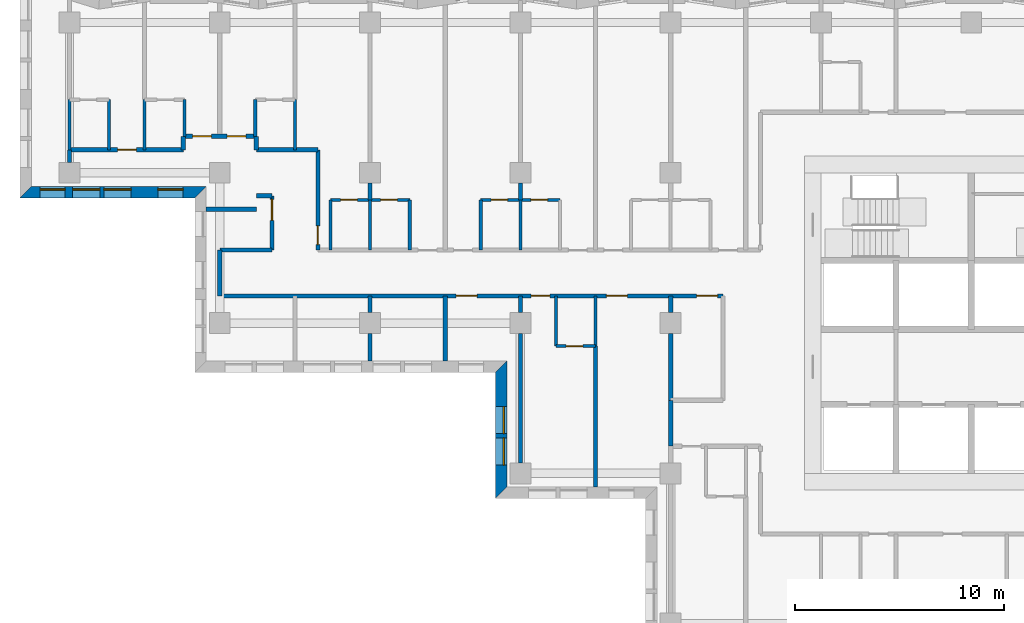
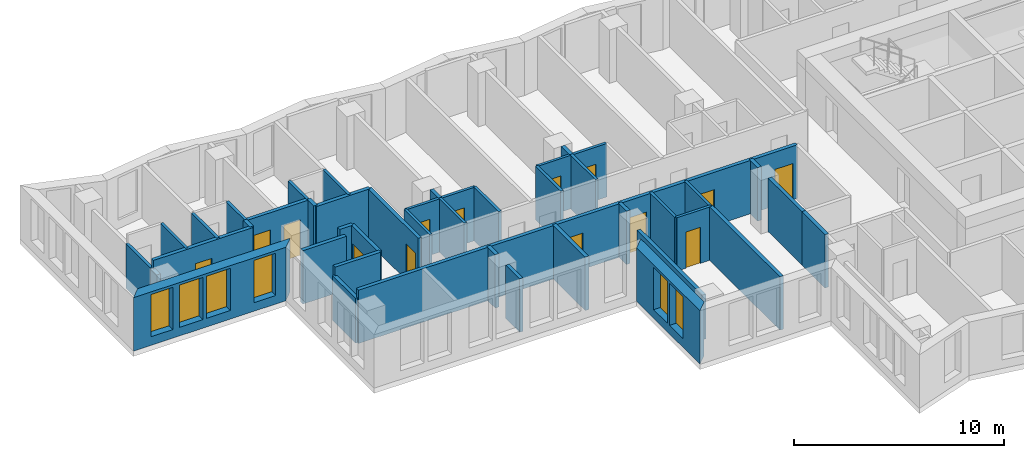
# One storey, part 4 of 13: 42 walls, 14 doors, 6 windows, 20 openings.
"""IFC4 building model written with IfcOpenShell, lengths in metres."""

from ifc_helpers import new_model, si_unit, direction, frame, frame_2d, origin, place, context, subcontext, project, spatial, polyline, rectangle, outline, extrude, material, layer, layer_set, type_object, element, fill, save


model = new_model("IFC4")

# Units and contexts
model_context = context("Model", 3, precision=1e-05, world=origin(), true_north=direction((0.0, 1.0)))
body_context = subcontext(model_context, "Body", "Model", "MODEL_VIEW")
ifc_project = project(units=[si_unit("LENGTHUNIT", "METRE"), si_unit("AREAUNIT", "SQUARE_METRE"), si_unit("VOLUMEUNIT", "CUBIC_METRE"), si_unit("PLANEANGLEUNIT", "RADIAN"), si_unit("MASSUNIT", "GRAM", prefix="KILO")], contexts=[model_context])

# Site, building, storey
site_placement = place(None, origin())
site = spatial("IfcSite", under=ifc_project, at=site_placement, CompositionType="ELEMENT")
building_placement = place(site_placement, origin())
building = spatial("IfcBuilding", under=site, at=building_placement, Name="Windrow Commons", CompositionType="ELEMENT")
storey_placement = place(building_placement, frame((0.0, 0.0, 111.8)))
storey = spatial("IfcBuildingStorey", under=building, at=storey_placement, Name="L30", CompositionType="ELEMENT", Elevation=111.8)

# Wall, openings, windows
ifc_material_1 = material(Name="Brick masonry, red clay brick", Category="masonry")
ifc_layer_1 = layer(ifc_material_1, 0.55)
ifc_layer_set_1 = layer_set([ifc_layer_1], Name="Brick facade wall 550")
wall_type_1 = type_object("IfcWallType", Name="Brick facade wall 550", PredefinedType="SOLIDWALL", material=ifc_layer_set_1)
wall_1_placement = place(storey_placement, frame((19.503, 63.875, 0.0), z_axis=(0.0, 0.0, 1.0), x_axis=(1.0, 0.0, 0.0)))
wall_1 = element("IfcWall", 1, at=wall_1_placement, inside=storey, type_object=wall_type_1, Name="Brick facade wall L30 38", PredefinedType="SOLIDWALL", context=body_context, shape_type="SweptSolid", body=[
    extrude(outline(polyline([(-0.275, -0.275), (8.097, -0.275), (8.647, 0.275), (0.275, 0.275), (-0.275, -0.275)])), origin(), (0.0, 0.0, 1.0), 3.1),
])
opening_1_placement = place(wall_1_placement, frame((2.247, 0.0, 0.5)))
opening_1 = element("IfcOpeningElement", 2, at=opening_1_placement, cuts=wall_1, Name="Opening W1P", PredefinedType="OPENING", context=body_context, shape_type="SweptSolid", body=[
    extrude(rectangle(XDim=1.3, YDim=2.45, at=frame_2d((0.65, 1.225))), frame((0.0, 0.285, 0.0), z_axis=(0.0, -1.0, 0.0), x_axis=(1.0, 0.0, 0.0)), (0.0, 0.0, 1.0), 0.57),
])
opening_2_placement = place(wall_1_placement, frame((3.747, 0.0, 0.5)))
opening_2 = element("IfcOpeningElement", 3, at=opening_2_placement, cuts=wall_1, Name="Opening W1P", PredefinedType="OPENING", context=body_context, shape_type="SweptSolid", body=[
    extrude(rectangle(XDim=1.3, YDim=2.45, at=frame_2d((0.65, 1.225))), frame((0.0, 0.285, 0.0), z_axis=(0.0, -1.0, 0.0), x_axis=(1.0, 0.0, 0.0)), (0.0, 0.0, 1.0), 0.57),
])
opening_3_placement = place(wall_1_placement, frame((0.686, 0.0, 0.5)))
opening_3 = element("IfcOpeningElement", 4, at=opening_3_placement, cuts=wall_1, Name="Opening W7D", PredefinedType="OPENING", context=body_context, shape_type="SweptSolid", body=[
    extrude(rectangle(XDim=1.2, YDim=2.45, at=frame_2d((0.6, 1.225))), frame((0.0, 0.285, 0.0), z_axis=(0.0, -1.0, 0.0), x_axis=(1.0, 0.0, 0.0)), (0.0, 0.0, 1.0), 0.57),
])
opening_4_placement = place(wall_1_placement, frame((6.3345, 0.0, 0.5)))
opening_4 = element("IfcOpeningElement", 5, at=opening_4_placement, cuts=wall_1, Name="Opening W7D", PredefinedType="OPENING", context=body_context, shape_type="SweptSolid", body=[
    extrude(rectangle(XDim=1.2, YDim=2.45, at=frame_2d((0.6, 1.225))), frame((0.0, 0.285, 0.0), z_axis=(0.0, -1.0, 0.0), x_axis=(1.0, 0.0, 0.0)), (0.0, 0.0, 1.0), 0.57),
])
ifc_material_2 = material(Name="Clear float glass in anodised aluminium frame", Category="aluminium")
window_type_1 = type_object("IfcWindowType", Name="Window W1P pair 1300x2450", PartitioningType="SINGLE_PANEL", PredefinedType="WINDOW", material=ifc_material_2)
window_1_placement = place(opening_1_placement, origin())
window_1 = element("IfcWindow", 6, at=window_1_placement, inside=storey, type_object=window_type_1, Name="Window L30 38.1A", OverallHeight=2.45, OverallWidth=1.3, PartitioningType="SINGLE_PANEL", PredefinedType="WINDOW", context=body_context, shape_type="SweptSolid", body=[
    extrude(rectangle(XDim=1.3, YDim=2.45, at=frame_2d((0.65, 1.225))), frame((0.0, 0.155, 0.0), z_axis=(0.0, -1.0, 0.0), x_axis=(1.0, 0.0, 0.0)), (0.0, 0.0, 1.0), 0.06),
])
fill(opening_1, window_1)
window_2_placement = place(opening_2_placement, origin())
window_2 = element("IfcWindow", 7, at=window_2_placement, inside=storey, type_object=window_type_1, Name="Window L30 38.1B", OverallHeight=2.45, OverallWidth=1.3, PartitioningType="SINGLE_PANEL", PredefinedType="WINDOW", context=body_context, shape_type="SweptSolid", body=[
    extrude(rectangle(XDim=1.3, YDim=2.45, at=frame_2d((0.65, 1.225))), frame((0.0, 0.155, 0.0), z_axis=(0.0, -1.0, 0.0), x_axis=(1.0, 0.0, 0.0)), (0.0, 0.0, 1.0), 0.06),
])
fill(opening_2, window_2)
ifc_material_3 = material(Name="Clear float glass in anodised aluminium frame", Category="aluminium")
window_type_2 = type_object("IfcWindowType", Name="Window W7 notch 1200x2450", PartitioningType="SINGLE_PANEL", PredefinedType="WINDOW", material=ifc_material_3)
window_3_placement = place(opening_3_placement, origin())
window_3 = element("IfcWindow", 8, at=window_3_placement, inside=storey, type_object=window_type_2, Name="Window L30 38.2", OverallHeight=2.45, OverallWidth=1.2, PartitioningType="SINGLE_PANEL", PredefinedType="WINDOW", context=body_context, shape_type="SweptSolid", body=[
    extrude(rectangle(XDim=1.2, YDim=2.45, at=frame_2d((0.6, 1.225))), frame((0.0, 0.155, 0.0), z_axis=(0.0, -1.0, 0.0), x_axis=(1.0, 0.0, 0.0)), (0.0, 0.0, 1.0), 0.06),
])
fill(opening_3, window_3)
window_4_placement = place(opening_4_placement, origin())
window_4 = element("IfcWindow", 9, at=window_4_placement, inside=storey, type_object=window_type_2, Name="Window L30 38.3", OverallHeight=2.45, OverallWidth=1.2, PartitioningType="SINGLE_PANEL", PredefinedType="WINDOW", context=body_context, shape_type="SweptSolid", body=[
    extrude(rectangle(XDim=1.2, YDim=2.45, at=frame_2d((0.6, 1.225))), frame((0.0, 0.155, 0.0), z_axis=(0.0, -1.0, 0.0), x_axis=(1.0, 0.0, 0.0)), (0.0, 0.0, 1.0), 0.06),
])
fill(opening_4, window_4)

wall_2_placement = place(storey_placement, frame((42.275, 55.503, 0.0), z_axis=(0.0, 0.0, 1.0), x_axis=(0.0, -1.0, 0.0)))
wall_2 = element("IfcWall", 10, at=wall_2_placement, inside=storey, type_object=wall_type_1, Name="Brick facade wall L30 41", PredefinedType="SOLIDWALL", context=body_context, shape_type="SweptSolid", body=[
    extrude(outline(polyline([(0.275, -0.275), (6.303, -0.275), (5.753, 0.275), (-0.275, 0.275), (0.275, -0.275)])), origin(), (0.0, 0.0, 1.0), 3.1),
])
opening_5_placement = place(wall_2_placement, frame((1.903, 0.0, 0.5)))
opening_5 = element("IfcOpeningElement", 11, at=opening_5_placement, cuts=wall_2, Name="Opening W1P", PredefinedType="OPENING", context=body_context, shape_type="SweptSolid", body=[
    extrude(rectangle(XDim=1.3, YDim=2.45, at=frame_2d((0.65, 1.225))), frame((0.0, 0.285, 0.0), z_axis=(0.0, -1.0, 0.0), x_axis=(1.0, 0.0, 0.0)), (0.0, 0.0, 1.0), 0.57),
])
opening_6_placement = place(wall_2_placement, frame((3.403, 0.0, 0.5)))
opening_6 = element("IfcOpeningElement", 12, at=opening_6_placement, cuts=wall_2, Name="Opening W1P", PredefinedType="OPENING", context=body_context, shape_type="SweptSolid", body=[
    extrude(rectangle(XDim=1.3, YDim=2.45, at=frame_2d((0.65, 1.225))), frame((0.0, 0.285, 0.0), z_axis=(0.0, -1.0, 0.0), x_axis=(1.0, 0.0, 0.0)), (0.0, 0.0, 1.0), 0.57),
])
window_5_placement = place(opening_5_placement, origin())
window_5 = element("IfcWindow", 13, at=window_5_placement, inside=storey, type_object=window_type_1, Name="Window L30 41.1A", OverallHeight=2.45, OverallWidth=1.3, PartitioningType="SINGLE_PANEL", PredefinedType="WINDOW", context=body_context, shape_type="SweptSolid", body=[
    extrude(rectangle(XDim=1.3, YDim=2.45, at=frame_2d((0.65, 1.225))), frame((0.0, 0.155, 0.0), z_axis=(0.0, -1.0, 0.0), x_axis=(1.0, 0.0, 0.0)), (0.0, 0.0, 1.0), 0.06),
])
fill(opening_5, window_5)
window_6_placement = place(opening_6_placement, origin())
window_6 = element("IfcWindow", 14, at=window_6_placement, inside=storey, type_object=window_type_1, Name="Window L30 41.1B", OverallHeight=2.45, OverallWidth=1.3, PartitioningType="SINGLE_PANEL", PredefinedType="WINDOW", context=body_context, shape_type="SweptSolid", body=[
    extrude(rectangle(XDim=1.3, YDim=2.45, at=frame_2d((0.65, 1.225))), frame((0.0, 0.155, 0.0), z_axis=(0.0, -1.0, 0.0), x_axis=(1.0, 0.0, 0.0)), (0.0, 0.0, 1.0), 0.06),
])
fill(opening_6, window_6)

# Wall, openings, doors
ifc_material_4 = material(Name="Blockwork partition", Category="masonry")
ifc_layer_2 = layer(ifc_material_4, 0.2)
ifc_layer_set_2 = layer_set([ifc_layer_2], Name="IW-CORRIDOR-200")
wall_type_2 = type_object("IfcWallType", Name="IW-CORRIDOR-200", PredefinedType="PARTITIONING", material=ifc_layer_set_2)
wall_3_placement = place(storey_placement, frame((28.802, 58.9, 0.0), z_axis=(0.0, 0.0, 1.0), x_axis=(1.0, 0.0, 0.0)))
wall_3 = element("IfcWall", 15, at=wall_3_placement, inside=storey, type_object=wall_type_2, Name="W-L30-W000", PredefinedType="PARTITIONING", context=body_context, shape_type="SweptSolid", body=[
    extrude(rectangle(XDim=24.098, YDim=0.2, at=frame_2d((12.049, 0.0))), origin(), (0.0, 0.0, 1.0), 3.1),
])
opening_7_placement = place(wall_3_placement, frame((11.323, 0.0, 0.0)))
opening_7 = element("IfcOpeningElement", 16, at=opening_7_placement, cuts=wall_3, Name="Opening D310F", PredefinedType="OPENING", context=body_context, shape_type="SweptSolid", body=[
    extrude(rectangle(XDim=1.0, YDim=2.1, at=frame_2d((0.5, 1.05))), frame((0.0, 0.11, 0.0), z_axis=(0.0, -1.0, 0.0), x_axis=(1.0, 0.0, 0.0)), (0.0, 0.0, 1.0), 0.22),
])
opening_8_placement = place(wall_3_placement, frame((14.908, 0.0, 0.0)))
opening_8 = element("IfcOpeningElement", 17, at=opening_8_placement, cuts=wall_3, Name="Opening D109S", PredefinedType="OPENING", context=body_context, shape_type="SweptSolid", body=[
    extrude(rectangle(XDim=0.9, YDim=2.1, at=frame_2d((0.45, 1.05))), frame((0.0, 0.11, 0.0), z_axis=(0.0, -1.0, 0.0), x_axis=(1.0, 0.0, 0.0)), (0.0, 0.0, 1.0), 0.22),
])
opening_9_placement = place(wall_3_placement, frame((18.523, 0.0, 0.0)))
opening_9 = element("IfcOpeningElement", 18, at=opening_9_placement, cuts=wall_3, Name="Opening D310F", PredefinedType="OPENING", context=body_context, shape_type="SweptSolid", body=[
    extrude(rectangle(XDim=1.0, YDim=2.1, at=frame_2d((0.5, 1.05))), frame((0.0, 0.11, 0.0), z_axis=(0.0, -1.0, 0.0), x_axis=(1.0, 0.0, 0.0)), (0.0, 0.0, 1.0), 0.22),
])
opening_10_placement = place(wall_3_placement, frame((22.8451, 0.0, 0.0)))
opening_10 = element("IfcOpeningElement", 19, at=opening_10_placement, cuts=wall_3, Name="Opening D410F", PredefinedType="OPENING", context=body_context, shape_type="SweptSolid", body=[
    extrude(rectangle(XDim=1.0, YDim=2.1, at=frame_2d((0.5, 1.05))), frame((0.0, 0.11, 0.0), z_axis=(0.0, -1.0, 0.0), x_axis=(1.0, 0.0, 0.0)), (0.0, 0.0, 1.0), 0.22),
])
ifc_material_5 = material(Name="Timber door leaf", Category="wood")
door_type_1 = type_object("IfcDoorType", Name="DT-AMENITY-1000", OperationType="SINGLE_SWING_LEFT", PredefinedType="DOOR", material=ifc_material_5)
door_1_placement = place(opening_7_placement, origin())
door_1 = element("IfcDoor", 20, at=door_1_placement, inside=storey, type_object=door_type_1, Name="D-L30-D003", OperationType="SINGLE_SWING_RIGHT", OverallHeight=2.1, OverallWidth=1.0, PredefinedType="DOOR", context=body_context, shape_type="SweptSolid", body=[
    extrude(rectangle(XDim=1.0, YDim=2.1, at=frame_2d((0.5, 1.05))), frame((0.0, 0.025, 0.0), z_axis=(0.0, -1.0, 0.0), x_axis=(1.0, 0.0, 0.0)), (0.0, 0.0, 1.0), 0.05),
])
fill(opening_7, door_1)
door_2_placement = place(opening_9_placement, origin())
door_2 = element("IfcDoor", 21, at=door_2_placement, inside=storey, type_object=door_type_1, Name="D-L30-D006", OperationType="SINGLE_SWING_RIGHT", OverallHeight=2.1, OverallWidth=1.0, PredefinedType="DOOR", context=body_context, shape_type="SweptSolid", body=[
    extrude(rectangle(XDim=1.0, YDim=2.1, at=frame_2d((0.5, 1.05))), frame((0.0, 0.025, 0.0), z_axis=(0.0, -1.0, 0.0), x_axis=(1.0, 0.0, 0.0)), (0.0, 0.0, 1.0), 0.05),
])
fill(opening_9, door_2)
ifc_material_6 = material(Name="Timber door leaf", Category="wood")
door_type_2 = type_object("IfcDoorType", Name="DT-BEDROOM-900", OperationType="SINGLE_SWING_LEFT", PredefinedType="DOOR", material=ifc_material_6)
door_3_placement = place(opening_8_placement, origin())
door_3 = element("IfcDoor", 22, at=door_3_placement, inside=storey, type_object=door_type_2, Name="D-L30-D004", OperationType="SINGLE_SWING_LEFT", OverallHeight=2.1, OverallWidth=0.9, PredefinedType="DOOR", context=body_context, shape_type="SweptSolid", body=[
    extrude(rectangle(XDim=0.9, YDim=2.1, at=frame_2d((0.45, 1.05))), frame((0.0, 0.025, 0.0), z_axis=(0.0, -1.0, 0.0), x_axis=(1.0, 0.0, 0.0)), (0.0, 0.0, 1.0), 0.05),
])
fill(opening_8, door_3)
ifc_material_7 = material(Name="Timber door leaf", Category="wood")
door_type_3 = type_object("IfcDoorType", Name="DT-SERVICE-1000", OperationType="SINGLE_SWING_LEFT", PredefinedType="DOOR", material=ifc_material_7)
door_4_placement = place(opening_10_placement, origin())
door_4 = element("IfcDoor", 23, at=door_4_placement, inside=storey, type_object=door_type_3, Name="D-L30-D010", OperationType="SINGLE_SWING_LEFT", OverallHeight=2.1, OverallWidth=1.0, PredefinedType="DOOR", context=body_context, shape_type="SweptSolid", body=[
    extrude(rectangle(XDim=1.0, YDim=2.1, at=frame_2d((0.5, 1.05))), frame((0.0, 0.025, 0.0), z_axis=(0.0, -1.0, 0.0), x_axis=(1.0, 0.0, 0.0)), (0.0, 0.0, 1.0), 0.05),
])
fill(opening_10, door_4)

# Wall, opening, door
wall_4_placement = place(storey_placement, frame((21.6, 65.9, 0.0), z_axis=(0.0, 0.0, 1.0), x_axis=(1.0, 0.0, 0.0)))
wall_4 = element("IfcWall", 24, at=wall_4_placement, inside=storey, type_object=wall_type_2, Name="W-L30-W037", PredefinedType="PARTITIONING", context=body_context, shape_type="SweptSolid", body=[
    extrude(rectangle(XDim=5.45, YDim=0.2, at=frame_2d((2.725, 0.0))), origin(), (0.0, 0.0, 1.0), 3.1),
])
opening_11_placement = place(wall_4_placement, frame((2.3, 0.0, 0.0)))
opening_11 = element("IfcOpeningElement", 25, at=opening_11_placement, cuts=wall_4, Name="Opening D109S", PredefinedType="OPENING", context=body_context, shape_type="SweptSolid", body=[
    extrude(rectangle(XDim=0.9, YDim=2.1, at=frame_2d((0.45, 1.05))), frame((0.0, 0.11, 0.0), z_axis=(0.0, -1.0, 0.0), x_axis=(1.0, 0.0, 0.0)), (0.0, 0.0, 1.0), 0.22),
])
door_5_placement = place(opening_11_placement, origin())
door_5 = element("IfcDoor", 26, at=door_5_placement, inside=storey, type_object=door_type_2, Name="D-L30-D019", OperationType="SINGLE_SWING_RIGHT", OverallHeight=2.1, OverallWidth=0.9, PredefinedType="DOOR", context=body_context, shape_type="SweptSolid", body=[
    extrude(rectangle(XDim=0.9, YDim=2.1, at=frame_2d((0.45, 1.05))), frame((0.0, 0.025, 0.0), z_axis=(0.0, -1.0, 0.0), x_axis=(1.0, 0.0, 0.0)), (0.0, 0.0, 1.0), 0.05),
])
fill(opening_11, door_5)

wall_5_placement = place(storey_placement, frame((33.5, 61.102, 0.0), z_axis=(0.0, 0.0, 1.0), x_axis=(0.0, 1.0, 0.0)))
wall_5 = element("IfcWall", 27, at=wall_5_placement, inside=storey, type_object=wall_type_2, Name="W-L30-W045", PredefinedType="PARTITIONING", context=body_context, shape_type="SweptSolid", body=[
    extrude(rectangle(XDim=4.798, YDim=0.2, at=frame_2d((2.399, 0.0))), origin(), (0.0, 0.0, 1.0), 3.1),
])
opening_12_placement = place(wall_5_placement, frame((0.253, 0.0, 0.0)))
opening_12 = element("IfcOpeningElement", 28, at=opening_12_placement, cuts=wall_5, Name="Opening D109S", PredefinedType="OPENING", context=body_context, shape_type="SweptSolid", body=[
    extrude(rectangle(XDim=0.9, YDim=2.1, at=frame_2d((0.45, 1.05))), frame((0.0, 0.11, 0.0), z_axis=(0.0, -1.0, 0.0), x_axis=(1.0, 0.0, 0.0)), (0.0, 0.0, 1.0), 0.22),
])
door_6_placement = place(opening_12_placement, origin())
door_6 = element("IfcDoor", 29, at=door_6_placement, inside=storey, type_object=door_type_2, Name="D-L30-D025", OperationType="SINGLE_SWING_LEFT", OverallHeight=2.1, OverallWidth=0.9, PredefinedType="DOOR", context=body_context, shape_type="SweptSolid", body=[
    extrude(rectangle(XDim=0.9, YDim=2.1, at=frame_2d((0.45, 1.05))), frame((0.0, 0.025, 0.0), z_axis=(0.0, -1.0, 0.0), x_axis=(1.0, 0.0, 0.0)), (0.0, 0.0, 1.0), 0.05),
])
fill(opening_12, door_6)

# Wall, openings, doors
wall_6_placement = place(storey_placement, frame((27.1, 66.55, 0.0), z_axis=(0.0, 0.0, 1.0), x_axis=(1.0, 0.0, 0.0)))
wall_6 = element("IfcWall", 30, at=wall_6_placement, inside=storey, type_object=wall_type_2, Name="W-L30-W057", PredefinedType="PARTITIONING", context=body_context, shape_type="SweptSolid", body=[
    extrude(rectangle(XDim=3.4, YDim=0.2, at=frame_2d((1.7, 0.0))), origin(), (0.0, 0.0, 1.0), 3.1),
])
opening_13_placement = place(wall_6_placement, frame((0.4, 0.0, 0.0)))
opening_13 = element("IfcOpeningElement", 31, at=opening_13_placement, cuts=wall_6, Name="Opening D109S", PredefinedType="OPENING", context=body_context, shape_type="SweptSolid", body=[
    extrude(rectangle(XDim=0.9, YDim=2.1, at=frame_2d((0.45, 1.05))), frame((0.0, 0.11, 0.0), z_axis=(0.0, -1.0, 0.0), x_axis=(1.0, 0.0, 0.0)), (0.0, 0.0, 1.0), 0.22),
])
opening_14_placement = place(wall_6_placement, frame((2.05, 0.0, 0.0)))
opening_14 = element("IfcOpeningElement", 32, at=opening_14_placement, cuts=wall_6, Name="Opening D109S", PredefinedType="OPENING", context=body_context, shape_type="SweptSolid", body=[
    extrude(rectangle(XDim=0.9, YDim=2.1, at=frame_2d((0.45, 1.05))), frame((0.0, 0.11, 0.0), z_axis=(0.0, -1.0, 0.0), x_axis=(1.0, 0.0, 0.0)), (0.0, 0.0, 1.0), 0.22),
])
door_7_placement = place(opening_13_placement, origin())
door_7 = element("IfcDoor", 33, at=door_7_placement, inside=storey, type_object=door_type_2, Name="D-L30-D021", OperationType="SINGLE_SWING_LEFT", OverallHeight=2.1, OverallWidth=0.9, PredefinedType="DOOR", context=body_context, shape_type="SweptSolid", body=[
    extrude(rectangle(XDim=0.9, YDim=2.1, at=frame_2d((0.45, 1.05))), frame((0.0, 0.025, 0.0), z_axis=(0.0, -1.0, 0.0), x_axis=(1.0, 0.0, 0.0)), (0.0, 0.0, 1.0), 0.05),
])
fill(opening_13, door_7)
door_8_placement = place(opening_14_placement, origin())
door_8 = element("IfcDoor", 34, at=door_8_placement, inside=storey, type_object=door_type_2, Name="D-L30-D023", OperationType="SINGLE_SWING_RIGHT", OverallHeight=2.1, OverallWidth=0.9, PredefinedType="DOOR", context=body_context, shape_type="SweptSolid", body=[
    extrude(rectangle(XDim=0.9, YDim=2.1, at=frame_2d((0.45, 1.05))), frame((0.0, 0.025, 0.0), z_axis=(0.0, -1.0, 0.0), x_axis=(1.0, 0.0, 0.0)), (0.0, 0.0, 1.0), 0.05),
])
fill(opening_14, door_8)

# Wall
wall_7_placement = place(storey_placement, frame((30.552, 65.9, 0.0), z_axis=(0.0, 0.0, 1.0), x_axis=(1.0, 0.0, 0.0)))
element("IfcWall", 35, at=wall_7_placement, inside=storey, type_object=wall_type_2, Name="W-L30-W063", PredefinedType="PARTITIONING", context=body_context, shape_type="SweptSolid", body=[
    extrude(rectangle(XDim=2.948, YDim=0.2, at=frame_2d((1.474, 0.0))), origin(), (0.0, 0.0, 1.0), 3.1),
])

# Wall, opening, door
wall_8_placement = place(storey_placement, frame((31.3, 61.102, 0.0), z_axis=(0.0, 0.0, 1.0), x_axis=(0.0, 1.0, 0.0)))
wall_8 = element("IfcWall", 36, at=wall_8_placement, inside=storey, type_object=wall_type_2, Name="W-L30-W080", PredefinedType="PARTITIONING", context=body_context, shape_type="SweptSolid", body=[
    extrude(rectangle(XDim=2.596, YDim=0.2, at=frame_2d((1.298, 0.0))), origin(), (0.0, 0.0, 1.0), 3.1),
])
opening_15_placement = place(wall_8_placement, frame((1.4212, 0.0, 0.0)))
opening_15 = element("IfcOpeningElement", 37, at=opening_15_placement, cuts=wall_8, Name="Opening D310F", PredefinedType="OPENING", context=body_context, shape_type="SweptSolid", body=[
    extrude(rectangle(XDim=1.0, YDim=2.1, at=frame_2d((0.5, 1.05))), frame((0.0, 0.11, 0.0), z_axis=(0.0, -1.0, 0.0), x_axis=(1.0, 0.0, 0.0)), (0.0, 0.0, 1.0), 0.22),
])
door_9_placement = place(opening_15_placement, origin())
door_9 = element("IfcDoor", 38, at=door_9_placement, inside=storey, type_object=door_type_1, Name="D-L30-D000", OperationType="SINGLE_SWING_LEFT", OverallHeight=2.1, OverallWidth=1.0, PredefinedType="DOOR", context=body_context, shape_type="SweptSolid", body=[
    extrude(rectangle(XDim=1.0, YDim=2.1, at=frame_2d((0.5, 1.05))), frame((0.0, 0.025, 0.0), z_axis=(0.0, -1.0, 0.0), x_axis=(1.0, 0.0, 0.0)), (0.0, 0.0, 1.0), 0.05),
])
fill(opening_15, door_9)

# Walls
wall_9_placement = place(storey_placement, frame((28.802, 61.1, 0.0), z_axis=(0.0, 0.0, 1.0), x_axis=(1.0, 0.0, 0.0)))
element("IfcWall", 39, at=wall_9_placement, inside=storey, type_object=wall_type_2, Name="W-L30-W082", PredefinedType="PARTITIONING", context=body_context, shape_type="SweptSolid", body=[
    extrude(rectangle(XDim=2.496, YDim=0.2, at=frame_2d((1.248, 0.0))), origin(), (0.0, 0.0, 1.0), 3.1),
])
wall_10_placement = place(storey_placement, frame((28.15, 63.05, 0.0), z_axis=(0.0, 0.0, 1.0), x_axis=(1.0, 0.0, 0.0)))
element("IfcWall", 40, at=wall_10_placement, inside=storey, type_object=wall_type_2, Name="W-L30-W125", PredefinedType="PARTITIONING", context=body_context, shape_type="SweptSolid", body=[
    extrude(rectangle(XDim=2.4, YDim=0.2, at=frame_2d((1.2, 0.0))), origin(), (0.0, 0.0, 1.0), 3.1),
])
wall_11_placement = place(storey_placement, frame((50.4, 51.7, 0.0), z_axis=(0.0, 0.0, 1.0), x_axis=(0.0, 1.0, 0.0)))
element("IfcWall", 41, at=wall_11_placement, inside=storey, type_object=wall_type_2, Name="W-L30-W129", PredefinedType="PARTITIONING", context=body_context, shape_type="SweptSolid", body=[
    extrude(rectangle(XDim=2.2, YDim=0.2, at=frame_2d((1.1, 0.0))), origin(), (0.0, 0.0, 1.0), 3.1),
])
wall_12_placement = place(storey_placement, frame((28.8, 58.902, 0.0), z_axis=(0.0, 0.0, 1.0), x_axis=(0.0, 1.0, 0.0)))
element("IfcWall", 42, at=wall_12_placement, inside=storey, type_object=wall_type_2, Name="W-L30-W130", PredefinedType="PARTITIONING", context=body_context, shape_type="SweptSolid", body=[
    extrude(rectangle(XDim=2.198, YDim=0.2, at=frame_2d((1.099, 0.0))), origin(), (0.0, 0.0, 1.0), 2.6),
])
wall_13_placement = place(storey_placement, frame((30.552, 63.7, 0.0), z_axis=(0.0, 0.0, 1.0), x_axis=(1.0, 0.0, 0.0)))
element("IfcWall", 43, at=wall_13_placement, inside=storey, type_object=wall_type_2, Name="W-L30-W179", PredefinedType="PARTITIONING", context=body_context, shape_type="SweptSolid", body=[
    extrude(rectangle(XDim=0.746, YDim=0.2, at=frame_2d((0.373, 0.0))), origin(), (0.0, 0.0, 1.0), 3.1),
])
for number, where, z_axis, x_axis, name in (
    (44, (27.05, 65.9, 0.0), (0.0, 0.0, 1.0), (0.0, 1.0, 0.0), "W-L30-W182"),
    (45, (30.55, 65.9, 0.0), (0.0, 0.0, 1.0), (0.0, 1.0, 0.0), "W-L30-W183"),
):
    element("IfcWall", number, at=place(storey_placement, frame(where, z_axis=z_axis, x_axis=x_axis)), inside=storey, type_object=wall_type_2, Name=name, PredefinedType="PARTITIONING", context=body_context, shape_type="SweptSolid", body=[
        extrude(rectangle(XDim=0.65, YDim=0.2, at=frame_2d((0.325, 0.0))), origin(), (0.0, 0.0, 1.0), 3.1),
    ])
wall_14_placement = place(storey_placement, frame((21.6, 65.3, 0.0), z_axis=(0.0, 0.0, 1.0), x_axis=(0.0, 1.0, 0.0)))
element("IfcWall", 46, at=wall_14_placement, inside=storey, type_object=wall_type_2, Name="W-L30-W186", PredefinedType="PARTITIONING", context=body_context, shape_type="SweptSolid", body=[
    extrude(rectangle(XDim=0.6, YDim=0.2, at=frame_2d((0.3, 0.0))), origin(), (0.0, 0.0, 1.0), 2.6),
])

# Wall, openings, doors
ifc_material_8 = material(Name="Blockwork partition", Category="masonry")
ifc_layer_3 = layer(ifc_material_8, 0.15)
ifc_layer_set_3 = layer_set([ifc_layer_3], Name="IW-ENSUITE-150")
wall_type_3 = type_object("IfcWallType", Name="IW-ENSUITE-150", PredefinedType="PARTITIONING", material=ifc_layer_set_3)
wall_15_placement = place(storey_placement, frame((41.3, 63.5, 0.0), z_axis=(0.0, 0.0, 1.0), x_axis=(1.0, 0.0, 0.0)))
wall_15 = element("IfcWall", 47, at=wall_15_placement, inside=storey, type_object=wall_type_3, Name="W-L30-W052", PredefinedType="PARTITIONING", context=body_context, shape_type="SweptSolid", body=[
    extrude(rectangle(XDim=3.8, YDim=0.15, at=frame_2d((1.9, 0.0))), origin(), (0.0, 0.0, 1.0), 3.1),
])
opening_16_placement = place(wall_15_placement, frame((0.4931, 0.0, 0.0)))
opening_16 = element("IfcOpeningElement", 48, at=opening_16_placement, cuts=wall_15, Name="Opening D208N", PredefinedType="OPENING", context=body_context, shape_type="SweptSolid", body=[
    extrude(rectangle(XDim=0.8, YDim=2.1, at=frame_2d((0.4, 1.05))), frame((0.0, 0.085, 0.0), z_axis=(0.0, -1.0, 0.0), x_axis=(1.0, 0.0, 0.0)), (0.0, 0.0, 1.0), 0.17),
])
opening_17_placement = place(wall_15_placement, frame((2.4021, 0.0, 0.0)))
opening_17 = element("IfcOpeningElement", 49, at=opening_17_placement, cuts=wall_15, Name="Opening D208N", PredefinedType="OPENING", context=body_context, shape_type="SweptSolid", body=[
    extrude(rectangle(XDim=0.8, YDim=2.1, at=frame_2d((0.4, 1.05))), frame((0.0, 0.085, 0.0), z_axis=(0.0, -1.0, 0.0), x_axis=(1.0, 0.0, 0.0)), (0.0, 0.0, 1.0), 0.17),
])
ifc_material_9 = material(Name="Timber door leaf", Category="wood")
door_type_4 = type_object("IfcDoorType", Name="DT-ENSUITE-800", OperationType="SINGLE_SWING_LEFT", PredefinedType="DOOR", material=ifc_material_9)
door_10_placement = place(opening_16_placement, origin())
door_10 = element("IfcDoor", 50, at=door_10_placement, inside=storey, type_object=door_type_4, Name="D-L30-D030", OperationType="SINGLE_SWING_RIGHT", OverallHeight=2.1, OverallWidth=0.8, PredefinedType="DOOR", context=body_context, shape_type="SweptSolid", body=[
    extrude(rectangle(XDim=0.8, YDim=2.1, at=frame_2d((0.4, 1.05))), frame((0.0, 0.025, 0.0), z_axis=(0.0, -1.0, 0.0), x_axis=(1.0, 0.0, 0.0)), (0.0, 0.0, 1.0), 0.05),
])
fill(opening_16, door_10)
door_11_placement = place(opening_17_placement, origin())
door_11 = element("IfcDoor", 51, at=door_11_placement, inside=storey, type_object=door_type_4, Name="D-L30-D032", OperationType="SINGLE_SWING_RIGHT", OverallHeight=2.1, OverallWidth=0.8, PredefinedType="DOOR", context=body_context, shape_type="SweptSolid", body=[
    extrude(rectangle(XDim=0.8, YDim=2.1, at=frame_2d((0.4, 1.05))), frame((0.0, 0.025, 0.0), z_axis=(0.0, -1.0, 0.0), x_axis=(1.0, 0.0, 0.0)), (0.0, 0.0, 1.0), 0.05),
])
fill(opening_17, door_11)

wall_16_placement = place(storey_placement, frame((34.1, 63.5, 0.0), z_axis=(0.0, 0.0, 1.0), x_axis=(1.0, 0.0, 0.0)))
wall_16 = element("IfcWall", 52, at=wall_16_placement, inside=storey, type_object=wall_type_3, Name="W-L30-W053", PredefinedType="PARTITIONING", context=body_context, shape_type="SweptSolid", body=[
    extrude(rectangle(XDim=3.8, YDim=0.15, at=frame_2d((1.9, 0.0))), origin(), (0.0, 0.0, 1.0), 3.1),
])
opening_18_placement = place(wall_16_placement, frame((0.4931, 0.0, 0.0)))
opening_18 = element("IfcOpeningElement", 53, at=opening_18_placement, cuts=wall_16, Name="Opening D208N", PredefinedType="OPENING", context=body_context, shape_type="SweptSolid", body=[
    extrude(rectangle(XDim=0.8, YDim=2.1, at=frame_2d((0.4, 1.05))), frame((0.0, 0.085, 0.0), z_axis=(0.0, -1.0, 0.0), x_axis=(1.0, 0.0, 0.0)), (0.0, 0.0, 1.0), 0.17),
])
opening_19_placement = place(wall_16_placement, frame((2.4021, 0.0, 0.0)))
opening_19 = element("IfcOpeningElement", 54, at=opening_19_placement, cuts=wall_16, Name="Opening D208N", PredefinedType="OPENING", context=body_context, shape_type="SweptSolid", body=[
    extrude(rectangle(XDim=0.8, YDim=2.1, at=frame_2d((0.4, 1.05))), frame((0.0, 0.085, 0.0), z_axis=(0.0, -1.0, 0.0), x_axis=(1.0, 0.0, 0.0)), (0.0, 0.0, 1.0), 0.17),
])
door_12_placement = place(opening_18_placement, origin())
door_12 = element("IfcDoor", 55, at=door_12_placement, inside=storey, type_object=door_type_4, Name="D-L30-D026", OperationType="SINGLE_SWING_RIGHT", OverallHeight=2.1, OverallWidth=0.8, PredefinedType="DOOR", context=body_context, shape_type="SweptSolid", body=[
    extrude(rectangle(XDim=0.8, YDim=2.1, at=frame_2d((0.4, 1.05))), frame((0.0, 0.025, 0.0), z_axis=(0.0, -1.0, 0.0), x_axis=(1.0, 0.0, 0.0)), (0.0, 0.0, 1.0), 0.05),
])
fill(opening_18, door_12)
door_13_placement = place(opening_19_placement, origin())
door_13 = element("IfcDoor", 56, at=door_13_placement, inside=storey, type_object=door_type_4, Name="D-L30-D028", OperationType="SINGLE_SWING_RIGHT", OverallHeight=2.1, OverallWidth=0.8, PredefinedType="DOOR", context=body_context, shape_type="SweptSolid", body=[
    extrude(rectangle(XDim=0.8, YDim=2.1, at=frame_2d((0.4, 1.05))), frame((0.0, 0.025, 0.0), z_axis=(0.0, -1.0, 0.0), x_axis=(1.0, 0.0, 0.0)), (0.0, 0.0, 1.0), 0.05),
])
fill(opening_19, door_13)

# Walls
for number, where, z_axis, x_axis, name in (
    (57, (34.1, 61.1, 0.0), (0.0, 0.0, 1.0), (0.0, 1.0, 0.0), "W-L30-W088"),
    (58, (36.0, 61.1, 0.0), (0.0, 0.0, 1.0), (0.0, 1.0, 0.0), "W-L30-W089"),
    (59, (37.9, 61.1, 0.0), (0.0, 0.0, 1.0), (0.0, 1.0, 0.0), "W-L30-W090"),
    (60, (41.3, 61.1, 0.0), (0.0, 0.0, 1.0), (0.0, 1.0, 0.0), "W-L30-W091"),
    (61, (43.2, 61.1, 0.0), (0.0, 0.0, 1.0), (0.0, 1.0, 0.0), "W-L30-W092"),
    (62, (44.9, 56.5, 0.0), (0.0, 0.0, 1.0), (0.0, 1.0, 0.0), "W-L30-W094"),
    (63, (46.8, 56.5, 0.0), (0.0, 0.0, 1.0), (0.0, 1.0, 0.0), "W-L30-W095"),
):
    element("IfcWall", number, at=place(storey_placement, frame(where, z_axis=z_axis, x_axis=x_axis)), inside=storey, type_object=wall_type_3, Name=name, PredefinedType="PARTITIONING", context=body_context, shape_type="SweptSolid", body=[
        extrude(rectangle(XDim=2.4, YDim=0.15, at=frame_2d((1.2, 0.0))), origin(), (0.0, 0.0, 1.0), 3.1),
    ])
wall_17_placement = place(storey_placement, frame((21.6, 65.9, 0.0), z_axis=(0.0, 0.0, 1.0), x_axis=(0.0, 1.0, 0.0)))
element("IfcWall", 64, at=wall_17_placement, inside=storey, type_object=wall_type_3, Name="W-L30-W105", PredefinedType="PARTITIONING", context=body_context, shape_type="SweptSolid", body=[
    extrude(rectangle(XDim=2.4, YDim=0.15, at=frame_2d((1.2, 0.0))), origin(), (0.0, 0.0, 1.0), 2.6),
])
for number, where, z_axis, x_axis, name in (
    (65, (23.5, 65.9, 0.0), (0.0, 0.0, 1.0), (0.0, 1.0, 0.0), "W-L30-W106"),
    (66, (25.2, 65.9, 0.0), (0.0, 0.0, 1.0), (0.0, 1.0, 0.0), "W-L30-W107"),
    (67, (32.4, 65.9, 0.0), (0.0, 0.0, 1.0), (0.0, 1.0, 0.0), "W-L30-W108"),
):
    element("IfcWall", number, at=place(storey_placement, frame(where, z_axis=z_axis, x_axis=x_axis)), inside=storey, type_object=wall_type_3, Name=name, PredefinedType="PARTITIONING", context=body_context, shape_type="SweptSolid", body=[
        extrude(rectangle(XDim=2.4, YDim=0.15, at=frame_2d((1.2, 0.0))), origin(), (0.0, 0.0, 1.0), 3.1),
    ])

# Wall, opening, door
wall_18_placement = place(storey_placement, frame((44.9, 56.5, 0.0), z_axis=(0.0, 0.0, 1.0), x_axis=(1.0, 0.0, 0.0)))
wall_18 = element("IfcWall", 68, at=wall_18_placement, inside=storey, type_object=wall_type_3, Name="W-L30-W146", PredefinedType="PARTITIONING", context=body_context, shape_type="SweptSolid", body=[
    extrude(rectangle(XDim=1.9, YDim=0.15, at=frame_2d((0.95, 0.0))), origin(), (0.0, 0.0, 1.0), 3.1),
])
opening_20_placement = place(wall_18_placement, frame((0.4931, 0.0, 0.0)))
opening_20 = element("IfcOpeningElement", 69, at=opening_20_placement, cuts=wall_18, Name="Opening D208N", PredefinedType="OPENING", context=body_context, shape_type="SweptSolid", body=[
    extrude(rectangle(XDim=0.8, YDim=2.1, at=frame_2d((0.4, 1.05))), frame((0.0, 0.085, 0.0), z_axis=(0.0, -1.0, 0.0), x_axis=(1.0, 0.0, 0.0)), (0.0, 0.0, 1.0), 0.17),
])
door_14_placement = place(opening_20_placement, origin())
door_14 = element("IfcDoor", 70, at=door_14_placement, inside=storey, type_object=door_type_4, Name="D-L30-D005", OperationType="SINGLE_SWING_RIGHT", OverallHeight=2.1, OverallWidth=0.8, PredefinedType="DOOR", context=body_context, shape_type="SweptSolid", body=[
    extrude(rectangle(XDim=0.8, YDim=2.1, at=frame_2d((0.4, 1.05))), frame((0.0, 0.025, 0.0), z_axis=(0.0, -1.0, 0.0), x_axis=(1.0, 0.0, 0.0)), (0.0, 0.0, 1.0), 0.05),
])
fill(opening_20, door_14)

# Walls
for number, where, z_axis, x_axis, name in (
    (71, (27.1, 66.55, 0.0), (0.0, 0.0, 1.0), (0.0, 1.0, 0.0), "W-L30-W157"),
    (72, (30.5, 66.55, 0.0), (0.0, 0.0, 1.0), (0.0, 1.0, 0.0), "W-L30-W158"),
):
    element("IfcWall", number, at=place(storey_placement, frame(where, z_axis=z_axis, x_axis=x_axis)), inside=storey, type_object=wall_type_3, Name=name, PredefinedType="PARTITIONING", context=body_context, shape_type="SweptSolid", body=[
        extrude(rectangle(XDim=1.75, YDim=0.15, at=frame_2d((0.875, 0.0))), origin(), (0.0, 0.0, 1.0), 3.1),
    ])
ifc_material_10 = material(Name="Blockwork partition", Category="masonry")
ifc_layer_4 = layer(ifc_material_10, 0.2)
ifc_layer_set_4 = layer_set([ifc_layer_4], Name="IW-PARTY-200")
wall_type_4 = type_object("IfcWallType", Name="IW-PARTY-200", PredefinedType="PARTITIONING", material=ifc_layer_set_4)
wall_19_placement = place(storey_placement, frame((46.8, 49.75, 0.0), z_axis=(0.0, 0.0, 1.0), x_axis=(0.0, 1.0, 0.0)))
element("IfcWall", 73, at=wall_19_placement, inside=storey, type_object=wall_type_4, Name="W-L30-W024", PredefinedType="PARTITIONING", context=body_context, shape_type="SweptSolid", body=[
    extrude(rectangle(XDim=6.75, YDim=0.2, at=frame_2d((3.375, 0.0))), origin(), (0.0, 0.0, 1.0), 3.1),
])
wall_20_placement = place(storey_placement, frame((43.2, 50.9, 0.0), z_axis=(0.0, 0.0, 1.0), x_axis=(0.0, 1.0, 0.0)))
element("IfcWall", 74, at=wall_20_placement, inside=storey, type_object=wall_type_4, Name="W-L30-W028", PredefinedType="PARTITIONING", context=body_context, shape_type="SweptSolid", body=[
    extrude(rectangle(XDim=6.2, YDim=0.2, at=frame_2d((3.1, 0.0))), origin(), (0.0, 0.0, 1.0), 2.6),
])
wall_21_placement = place(storey_placement, frame((50.4, 53.9, 0.0), z_axis=(0.0, 0.0, 1.0), x_axis=(0.0, 1.0, 0.0)))
element("IfcWall", 75, at=wall_21_placement, inside=storey, type_object=wall_type_4, Name="W-L30-W059", PredefinedType="PARTITIONING", context=body_context, shape_type="SweptSolid", body=[
    extrude(rectangle(XDim=3.2, YDim=0.2, at=frame_2d((1.6, 0.0))), origin(), (0.0, 0.0, 1.0), 3.1),
])
wall_22_placement = place(storey_placement, frame((39.6, 55.778, 0.0), z_axis=(0.0, 0.0, 1.0), x_axis=(0.0, 1.0, 0.0)))
element("IfcWall", 76, at=wall_22_placement, inside=storey, type_object=wall_type_4, Name="W-L30-W061", PredefinedType="PARTITIONING", context=body_context, shape_type="SweptSolid", body=[
    extrude(rectangle(XDim=3.122, YDim=0.2, at=frame_2d((1.561, 0.0))), origin(), (0.0, 0.0, 1.0), 3.1),
])
wall_23_placement = place(storey_placement, frame((36.0, 55.778, 0.0), z_axis=(0.0, 0.0, 1.0), x_axis=(0.0, 1.0, 0.0)))
element("IfcWall", 77, at=wall_23_placement, inside=storey, type_object=wall_type_4, Name="W-L30-W164", PredefinedType="PARTITIONING", context=body_context, shape_type="SweptSolid", body=[
    extrude(rectangle(XDim=1.322, YDim=0.2, at=frame_2d((0.661, 0.0))), origin(), (0.0, 0.0, 1.0), 3.1),
])
for number, where, z_axis, x_axis, name in (
    (78, (36.0, 58.1, 0.0), (0.0, 0.0, 1.0), (0.0, 1.0, 0.0), "W-L30-W172"),
    (79, (36.0, 63.5, 0.0), (0.0, 0.0, 1.0), (0.0, 1.0, 0.0), "W-L30-W173"),
    (80, (43.2, 58.1, 0.0), (0.0, 0.0, 1.0), (0.0, 1.0, 0.0), "W-L30-W174"),
    (81, (43.2, 63.5, 0.0), (0.0, 0.0, 1.0), (0.0, 1.0, 0.0), "W-L30-W175"),
    (82, (50.4, 58.1, 0.0), (0.0, 0.0, 1.0), (0.0, 1.0, 0.0), "W-L30-W176"),
):
    element("IfcWall", number, at=place(storey_placement, frame(where, z_axis=z_axis, x_axis=x_axis)), inside=storey, type_object=wall_type_4, Name=name, PredefinedType="PARTITIONING", context=body_context, shape_type="SweptSolid", body=[
        extrude(rectangle(XDim=0.8, YDim=0.2, at=frame_2d((0.4, 0.0))), origin(), (0.0, 0.0, 1.0), 3.1),
    ])

save(model, "model.ifc")
